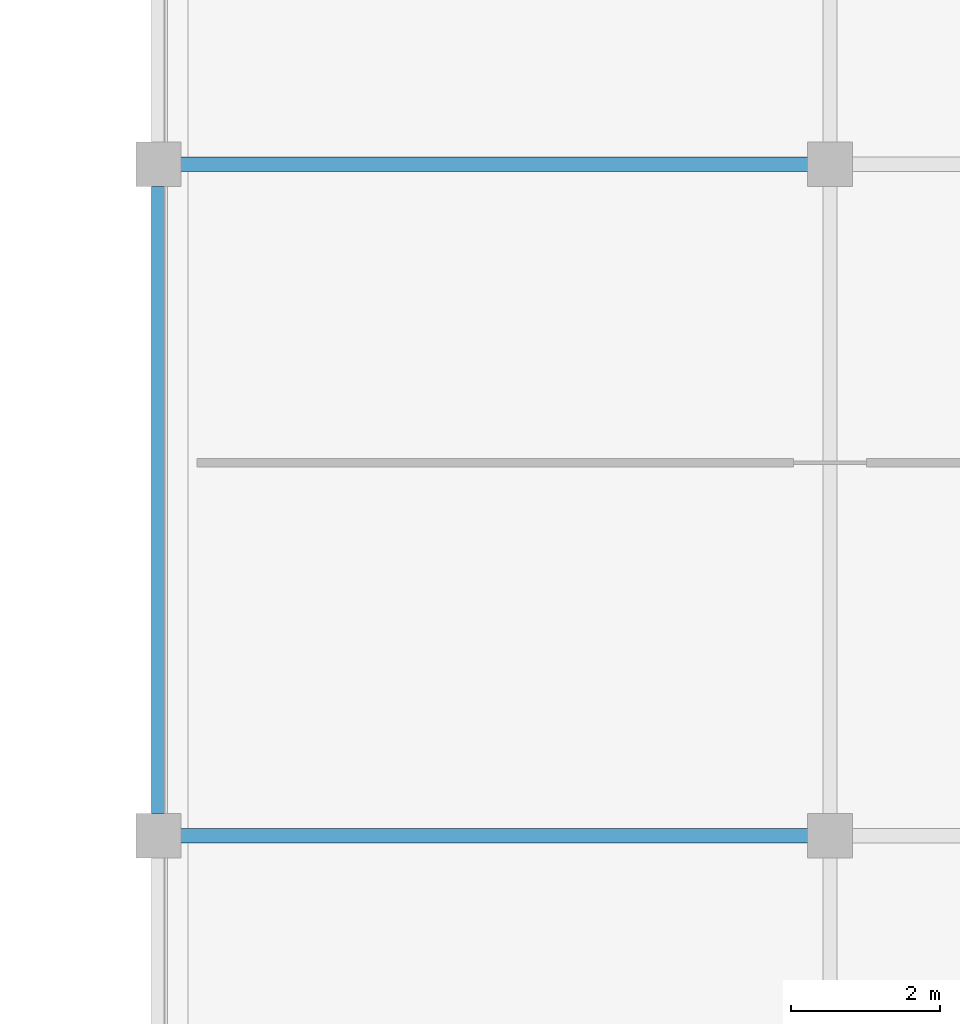
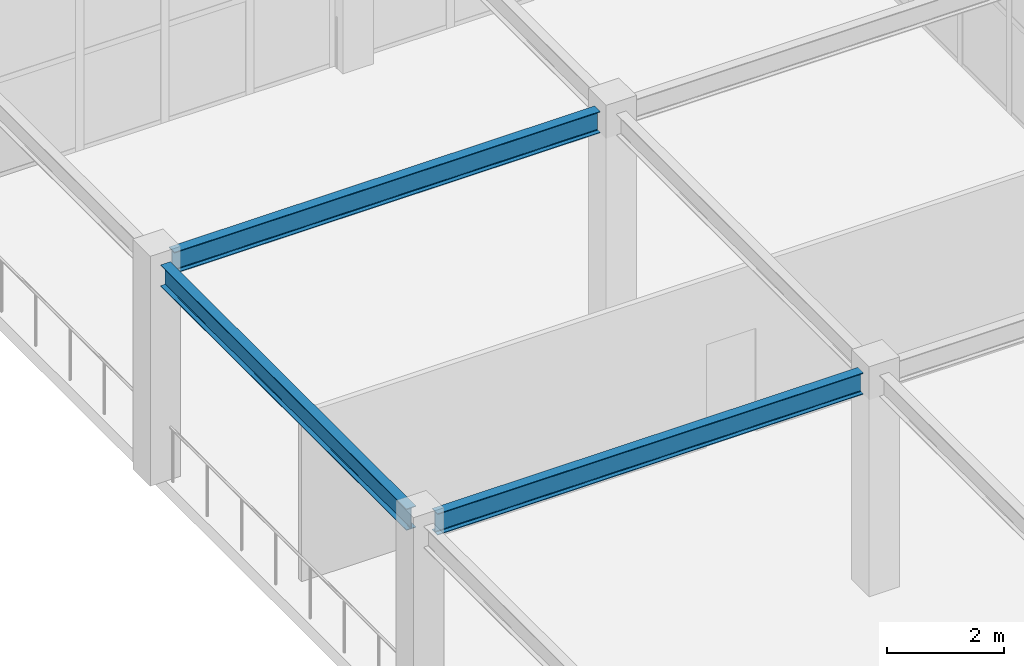
# One storey, part 89 of 167: 3 beams.
"""IFC4 building model written with IfcOpenShell, lengths in metres."""

import ifcopenshell
import ifcopenshell.guid

model = None  # the IFC model being written
_history = None  # IfcOwnerHistory: only IFC2X3 demands one
_inside = {}  # id of a spatial element -> (the spatial element, [elements in it])
_under = {}  # id of a project, library or spatial element -> (it, [spatial elements below it])
_declared = {}  # id of a project -> (the project, [libraries it declares])
_typed = {}  # id of a type object -> (the type object, [elements of that type])
_made_of = {}  # id of a material, layer set ... -> (it, [elements and type objects made of it])


def new_model(schema):
    """Start an empty IFC model of exactly this schema.

    Asked for "IFC4X3", IfcOpenShell would pick the latest addendum, in which some entities
    have other attributes; the version numbers below select the first issue.
    IFC2X3 requires an IfcOwnerHistory on every rooted entity: one is made here for all.
    """
    global model, _history
    if schema == "IFC4X3":
        model = ifcopenshell.file(schema_version=(4, 3, 0, 0))
    else:
        model = ifcopenshell.file(schema=schema)
    _inside.clear()
    _under.clear()
    _declared.clear()
    _typed.clear()
    _made_of.clear()
    _history = None
    if model.schema == "IFC2X3":
        org = make("IfcOrganization", Name="unknown")
        user = make(
            "IfcPersonAndOrganization",
            ThePerson=make("IfcPerson", FamilyName="unknown"),
            TheOrganization=org,
        )
        app = make(
            "IfcApplication",
            ApplicationDeveloper=org,
            Version="unknown",
            ApplicationFullName="unknown",
            ApplicationIdentifier="unknown",
        )
        _history = make(
            "IfcOwnerHistory",
            OwningUser=user,
            OwningApplication=app,
            ChangeAction="ADDED",
            CreationDate=0,
        )
    return model


def make(cls, **values):
    """One entity of the class cls with the attributes given. An attribute that is None is left unset."""
    return model.create_entity(
        cls, **{name: value for name, value in values.items() if value is not None}
    )


def rooted(cls, **values):
    """An entity with a GlobalId (a new one), such as an element, a storey or a relation."""
    return make(cls, GlobalId=ifcopenshell.guid.new(), OwnerHistory=_history, **values)


def si_unit(unit_type, name, prefix=None):
    """IfcSIUnit, for example si_unit("LENGTHUNIT", "METRE", prefix="MILLI")."""
    return make("IfcSIUnit", UnitType=unit_type, Prefix=prefix, Name=name)


def assignment(units):
    """IfcUnitAssignment: the units of a project."""
    return None if units is None else make("IfcUnitAssignment", Units=units)


def point(xyz):
    """IfcCartesianPoint."""
    return None if xyz is None else make("IfcCartesianPoint", Coordinates=xyz)


def direction(xyz):
    """IfcDirection."""
    return None if xyz is None else make("IfcDirection", DirectionRatios=xyz)


def frame(location, z_axis=None, x_axis=None):
    """IfcAxis2Placement3D, a coordinate frame: its origin and axes. An axis left out is left unset."""
    return make(
        "IfcAxis2Placement3D",
        Location=point(location),
        Axis=direction(z_axis),
        RefDirection=direction(x_axis),
    )


def frame_2d(location, x_axis=None):
    """IfcAxis2Placement2D, a coordinate frame in the plane: its origin and x axis."""
    return make(
        "IfcAxis2Placement2D", Location=point(location), RefDirection=direction(x_axis)
    )


def origin():
    """The frame at (0, 0, 0) with its axes left unset."""
    return frame((0.0, 0.0, 0.0))


def origin_2d():
    """The frame at (0, 0) in the plane with its x axis left unset."""
    return frame_2d((0.0, 0.0))


def place(relative_to, where):
    """IfcLocalPlacement: puts the frame where relative to a parent placement (None: the world)."""
    return make(
        "IfcLocalPlacement", PlacementRelTo=relative_to, RelativePlacement=where
    )


def context(
    kind, dimensions, precision=None, world=None, true_north=None, identifier=None
):
    """IfcGeometricRepresentationContext, for example the 3D "Model" context."""
    return make(
        "IfcGeometricRepresentationContext",
        ContextIdentifier=identifier,
        ContextType=kind,
        CoordinateSpaceDimension=dimensions,
        Precision=precision,
        WorldCoordinateSystem=world,
        TrueNorth=true_north,
    )


def subcontext(parent, identifier, kind, view, scale=None):
    """IfcGeometricRepresentationSubContext, for example "Body" below "Model"."""
    return make(
        "IfcGeometricRepresentationSubContext",
        ContextIdentifier=identifier,
        ContextType=kind,
        ParentContext=parent,
        TargetScale=scale,
        TargetView=view,
    )


def project(units=None, contexts=None):
    """IfcProject with its units and contexts."""
    return rooted(
        "IfcProject",
        Name="project",
        RepresentationContexts=contexts,
        UnitsInContext=assignment(units),
    )


def spatial(cls, under=None, at=None, **own):
    """A site, building, storey or space (cls), placed at a placement, below another one or the project."""
    s = rooted(cls, ObjectPlacement=at, **own)
    if under is not None:
        _under.setdefault(under.id(), (under, []))[1].append(s)
    return s


def profile(cls, at=None, kind="AREA", **sizes):
    """A parametric profile (cls). Its sizes go by their IFC names, for example OverallWidth=200.0."""
    return make(cls, ProfileType=kind, Position=at, **sizes)


def i_section(**sizes):
    """IfcIShapeProfileDef."""
    return profile("IfcIShapeProfileDef", **sizes)


def extrude(swept, where, along, depth):
    """IfcExtrudedAreaSolid: the profile swept, set in the frame where, extruded along a direction by depth."""
    return make(
        "IfcExtrudedAreaSolid",
        SweptArea=swept,
        Position=where,
        ExtrudedDirection=direction(along),
        Depth=depth,
    )


def shape(context_of_items, identifier, shape_type, items):
    """IfcShapeRepresentation: the items that make up one representation, for example the "Body"."""
    return make(
        "IfcShapeRepresentation",
        ContextOfItems=context_of_items,
        RepresentationIdentifier=identifier,
        RepresentationType=shape_type,
        Items=items,
    )


def material(Name=None, Category=None):
    """IfcMaterial."""
    return make("IfcMaterial", Name=Name, Category=Category)


def material_profile(
    of_material, cross_section, Name=None, Category=None, Priority=None
):
    """IfcMaterialProfile: a cross section and its material."""
    return make(
        "IfcMaterialProfile",
        Name=Name,
        Material=of_material,
        Profile=cross_section,
        Priority=Priority,
        Category=Category,
    )


def profile_set(profiles, Name=None, composite=None):
    """IfcMaterialProfileSet."""
    return make(
        "IfcMaterialProfileSet",
        Name=Name,
        MaterialProfiles=profiles,
        CompositeProfile=composite,
    )


def made_of(thing, what):
    """Note that an element or type object is made of a material, layer set ...; save() writes the relation."""
    if what is not None:
        _made_of.setdefault(what.id(), (what, []))[1].append(thing)
    return thing


def type_object(cls, material=None, **own):
    """A type object (cls), such as IfcWallType, which elements share."""
    return made_of(rooted(cls, **own), material)


def element(
    cls,
    number,
    at=None,
    inside=None,
    cuts=None,
    type_object=None,
    material=None,
    context=None,
    identifier="Body",
    shape_type=None,
    held_by="IfcProductDefinitionShape",
    body=None,
    shapes=None,
    **own,
):
    """One element of the class cls, such as IfcWall. Its Tag is "e" and its number.

    at: its placement. inside: the storey or other place that contains it. cuts: it is an
    opening in that element (IfcRelVoidsElement). A single representation is given by context,
    identifier, shape_type and body (its items); several are given by shapes. held_by: the class
    of the entity that holds the representations. save() writes the other relations.
    """
    e = rooted(cls, Tag="e%d" % number, ObjectPlacement=at, **own)
    if body is not None:
        shapes = [shape(context, identifier, shape_type, body)]
    if shapes is not None:
        e.Representation = make(held_by, Representations=shapes)
    if inside is not None:
        _inside.setdefault(inside.id(), (inside, []))[1].append(e)
    if cuts is not None:
        rooted(
            "IfcRelVoidsElement", RelatingBuildingElement=cuts, RelatedOpeningElement=e
        )
    if type_object is not None:
        _typed.setdefault(type_object.id(), (type_object, []))[1].append(e)
    return made_of(e, material)


def aggregate(whole, parts):
    """IfcRelAggregates: a whole, such as a stair, and the parts it consists of."""
    return rooted("IfcRelAggregates", RelatingObject=whole, RelatedObjects=parts)


def save(model, path):
    """Write the relations noted so far, then the file.

    IfcRelAggregates (storeys below a building ...), IfcRelContainedInSpatialStructure (elements
    in a storey), IfcRelDefinesByType, IfcRelAssociatesMaterial and IfcRelDeclares: one each for
    every whole, place, type object, material and project.
    """
    for whole, parts in _under.values():
        aggregate(whole, parts)
    for where, things in _inside.values():
        rooted(
            "IfcRelContainedInSpatialStructure",
            RelatedElements=things,
            RelatingStructure=where,
        )
    for kind, things in _typed.values():
        rooted("IfcRelDefinesByType", RelatedObjects=things, RelatingType=kind)
    for what, things in _made_of.values():
        rooted("IfcRelAssociatesMaterial", RelatedObjects=things, RelatingMaterial=what)
    for by, libraries in _declared.values():
        rooted("IfcRelDeclares", RelatingContext=by, RelatedDefinitions=libraries)
    model.write(path)


model = new_model("IFC4")

# Units and contexts
model_context = context("Model", 3, precision=1e-05, world=origin(), true_north=direction((0.0, 1.0)))
body_context = subcontext(model_context, "Body", "Model", "MODEL_VIEW")
ifc_project = project(units=[si_unit("LENGTHUNIT", "METRE"), si_unit("AREAUNIT", "SQUARE_METRE"), si_unit("VOLUMEUNIT", "CUBIC_METRE"), si_unit("PLANEANGLEUNIT", "RADIAN"), si_unit("MASSUNIT", "GRAM", prefix="KILO")], contexts=[model_context])

# Site, building, storey
site_placement = place(None, origin())
site = spatial("IfcSite", under=ifc_project, at=site_placement, CompositionType="ELEMENT")
building_placement = place(site_placement, origin())
building = spatial("IfcBuilding", under=site, at=building_placement, Name="Dornveld Trade and Exhibition Forum", CompositionType="ELEMENT")
storey_placement = place(building_placement, frame((0.0, 0.0, 16.800048828125)))
storey = spatial("IfcBuildingStorey", under=building, at=storey_placement, Name="L03", CompositionType="ELEMENT", Elevation=16.800048828125)

# Beams
ifc_material = material(Name="Steel S355J2", Category="steel")
ifc_material_profile = material_profile(ifc_material, i_section(OverallWidth=0.18994140625, OverallDepth=0.449951171875, WebThickness=0.009521484375, FlangeThickness=0.0146484375, FilletRadius=0.02099609375, at=origin_2d()), Name="IPE 450")
ifc_profile_set = profile_set([ifc_material_profile], Name="Steel S355J2")
beam_type = type_object("IfcBeamType", Name="BM-SEC-450", PredefinedType="BEAM", material=ifc_profile_set)
for number, where, z_axis, x_axis, name in (
    (1, (198.2958984375, 36.0, 4.324951171875), (1.0, 0.0, 0.0), (0.0, 1.0, 0.0), "L03 X-girder 1611"),
    (2, (198.2958984375, 45.0, 4.324951171875), (1.0, 0.0, 0.0), (0.0, 1.0, 0.0), "L03 X-girder 1613"),
    (3, (198.0, 36.2958984375, 4.324951171875), (0.0, 1.0, 0.0), (-1.0, 0.0, 0.0), "L03 Y-girder 1621"),
):
    element("IfcBeam", number, at=place(storey_placement, frame(where, z_axis=z_axis, x_axis=x_axis)), inside=storey, type_object=beam_type, Name=name, PredefinedType="BEAM", context=body_context, shape_type="SweptSolid", body=[
        extrude(i_section(OverallWidth=0.18994140625, OverallDepth=0.449951171875, WebThickness=0.009521484375, FlangeThickness=0.0146484375, FilletRadius=0.02099609375, at=origin_2d()), origin(), (0.0, 0.0, 1.0), 8.408203125),
    ])

save(model, "model.ifc")
